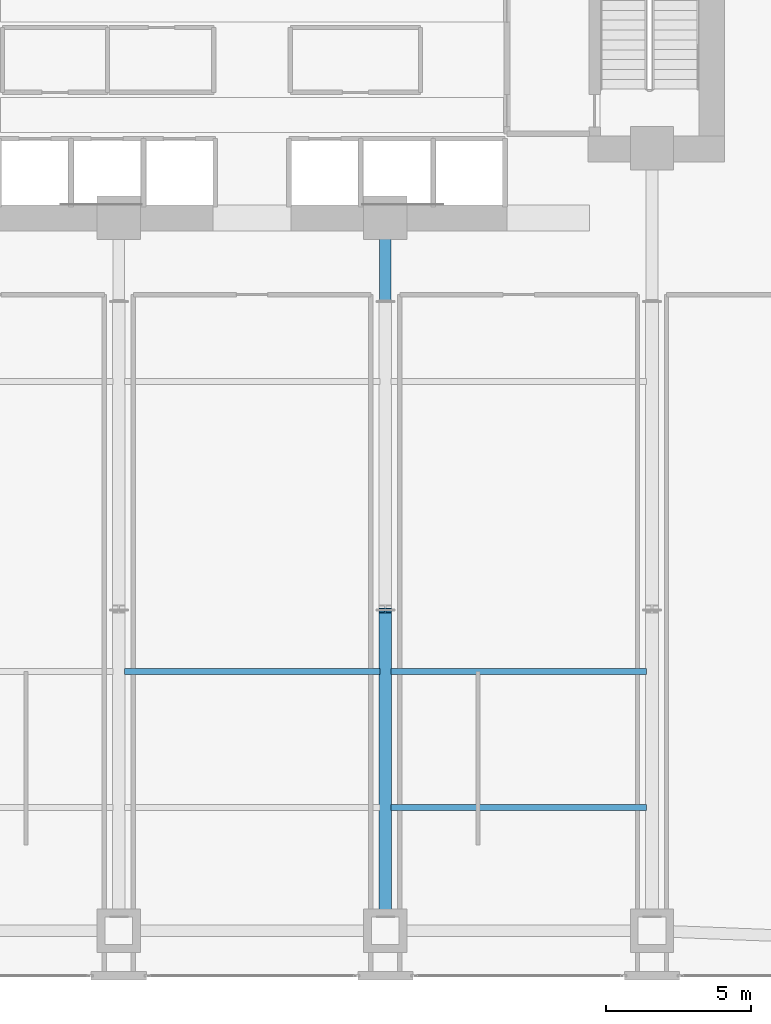
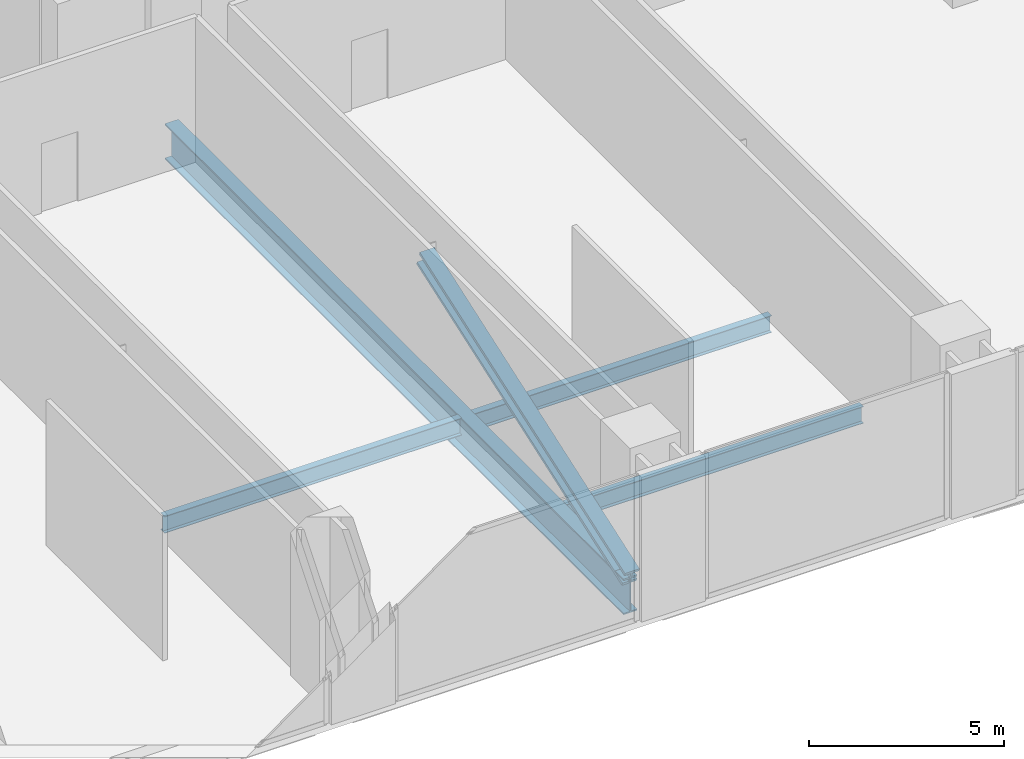
# One storey, part 10 of 33: 4 beams, 1 member.
"""IFC4 building model written with IfcOpenShell, lengths in metres."""

from ifc_helpers import new_model, si_unit, direction, frame, origin, origin_2d, place, context, subcontext, project, spatial, i_section, extrude, material, material_profile, profile_set, type_object, element, save


model = new_model("IFC4")

# Units and contexts
model_context = context("Model", 3, precision=1e-05, world=origin(), true_north=direction((0.0, 1.0)))
body_context = subcontext(model_context, "Body", "Model", "MODEL_VIEW")
ifc_project = project(units=[si_unit("LENGTHUNIT", "METRE"), si_unit("AREAUNIT", "SQUARE_METRE"), si_unit("VOLUMEUNIT", "CUBIC_METRE"), si_unit("PLANEANGLEUNIT", "RADIAN"), si_unit("MASSUNIT", "GRAM", prefix="KILO")], contexts=[model_context])

# Site, building, storey
site_placement = place(None, origin())
site = spatial("IfcSite", under=ifc_project, at=site_placement, CompositionType="ELEMENT")
building_placement = place(site_placement, origin())
building = spatial("IfcBuilding", under=site, at=building_placement, Name="Zuhayl Quay Hotel", CompositionType="ELEMENT")
storey_placement = place(building_placement, frame((0.0, 0.0, 18.0)))
storey = spatial("IfcBuildingStorey", under=building, at=storey_placement, Name="L03", CompositionType="ELEMENT", Elevation=18.0)

# Beams
ifc_material_1 = material(Name="Steel ASTM A992 Grade 50", Category="steel")
ifc_material_profile_1 = material_profile(ifc_material_1, i_section(OverallWidth=0.208984375, OverallDepth=0.532958984375, WebThickness=0.01025390625, FlangeThickness=0.015625, at=origin_2d()), Name="W21X62")
ifc_profile_set_1 = profile_set([ifc_material_profile_1], Name="Steel ASTM A992 Grade 50")
beam_type_1 = type_object("IfcBeamType", Name="BM_J1_W21X62", PredefinedType="JOIST", material=ifc_profile_set_1)
for number, where, z_axis, x_axis, name in (
    (1, (4.7939453125, -18.199951171875, -0.526611328125), (1.0, 0.0, 0.0), (0.0, 1.0, 0.0), "L03 Floor Beam J_POD_L03_1_3"),
    (2, (-4.406005859375, -13.5, -0.526611328125), (1.0, 0.0, 0.0), (0.0, 1.0, 0.0), "L03 Floor Beam J_POD_L03_2_2"),
    (3, (4.7939453125, -13.5, -0.526611328125), (1.0, 0.0, 0.0), (0.0, 1.0, 0.0), "L03 Floor Beam J_POD_L03_2_3"),
):
    element("IfcBeam", number, at=place(storey_placement, frame(where, z_axis=z_axis, x_axis=x_axis)), inside=storey, type_object=beam_type_1, Name=name, PredefinedType="JOIST", context=body_context, shape_type="SweptSolid", body=[
        extrude(i_section(OverallWidth=0.208984375, OverallDepth=0.532958984375, WebThickness=0.01025390625, FlangeThickness=0.015625, at=origin_2d()), origin(), (0.0, 0.0, 1.0), 8.81201171875),
    ])
ifc_material_2 = material(Name="Steel ASTM A913 Grade 65", Category="steel")
ifc_material_profile_2 = material_profile(ifc_material_2, i_section(OverallWidth=0.404052734375, OverallDepth=1.117919921875, WebThickness=0.026123046875, FlangeThickness=0.044921875, at=origin_2d()), Name="W44X335")
ifc_profile_set_2 = profile_set([ifc_material_profile_2], Name="Steel ASTM A913 Grade 65")
beam_type_2 = type_object("IfcBeamType", Name="BM_TG1_W44X335", PredefinedType="BEAM", material=ifc_profile_set_2)
beam_placement = place(storey_placement, frame((4.60009765625, -21.929931640625, -0.819091796875), z_axis=(0.0, 1.0, 0.0), x_axis=(-1.0, 0.0, 0.0)))
element("IfcBeam", 4, at=beam_placement, inside=storey, type_object=beam_type_2, Name="L03 Floor Beam PG_NS_BALL_L03_3", PredefinedType="BEAM", context=body_context, shape_type="SweptSolid", body=[
    extrude(i_section(OverallWidth=0.404052734375, OverallDepth=1.117919921875, WebThickness=0.026123046875, FlangeThickness=0.044921875, at=origin_2d()), origin(), (0.0, 0.0, 1.0), 23.559814453125),
])

# Member
ifc_material_profile_3 = material_profile(ifc_material_2, i_section(OverallWidth=0.431884765625, OverallDepth=0.498046875, WebThickness=0.0556640625, FlangeThickness=0.0888671875, at=origin_2d()), Name="W14X500")
ifc_profile_set_3 = profile_set([ifc_material_profile_3], Name="Steel ASTM A913 Grade 65")
member_type = type_object("IfcMemberType", Name="MB_TT_DIAG_500", PredefinedType="BRACE", material=ifc_profile_set_3)
member_placement = place(storey_placement, frame((4.60009765625, -21.949951171875, -0.25), z_axis=(0.0, 0.944209030718, 0.32934678731), x_axis=(-1.0, 0.0, 0.0)))
element("IfcMember", 5, at=member_placement, inside=storey, type_object=member_type, Name="L03 Ballroom Transfer Truss TT1-3 Diagonal 1", PredefinedType="BRACE", context=body_context, shape_type="SweptSolid", body=[
    extrude(i_section(OverallWidth=0.431884765625, OverallDepth=0.498046875, WebThickness=0.0556640625, FlangeThickness=0.0888671875, at=origin_2d()), origin(), (0.0, 0.0, 1.0), 11.17333984375),
])

save(model, "model.ifc")
